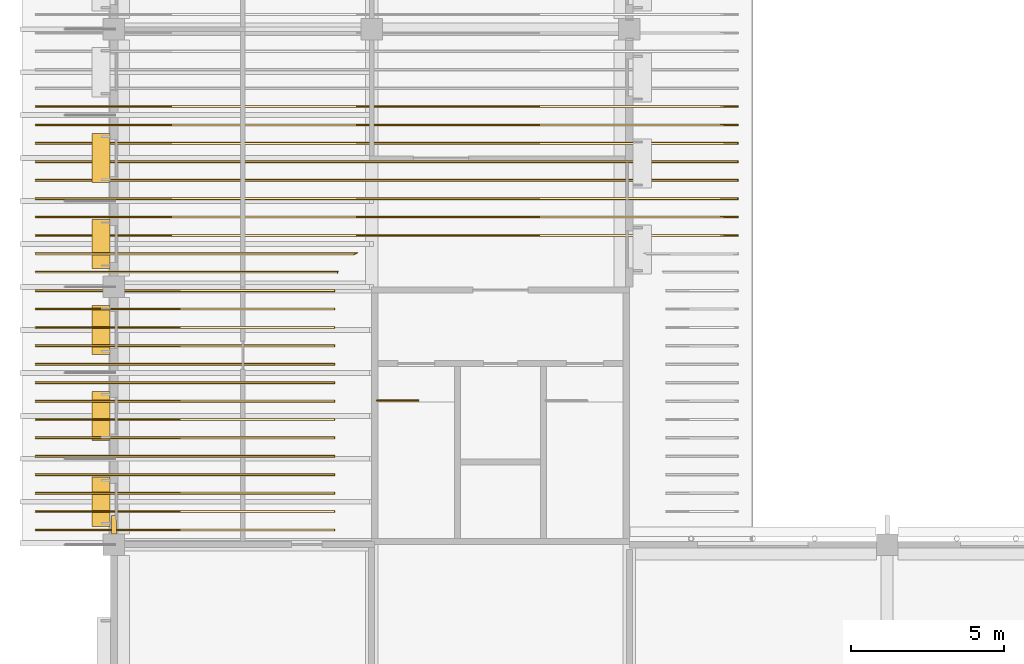
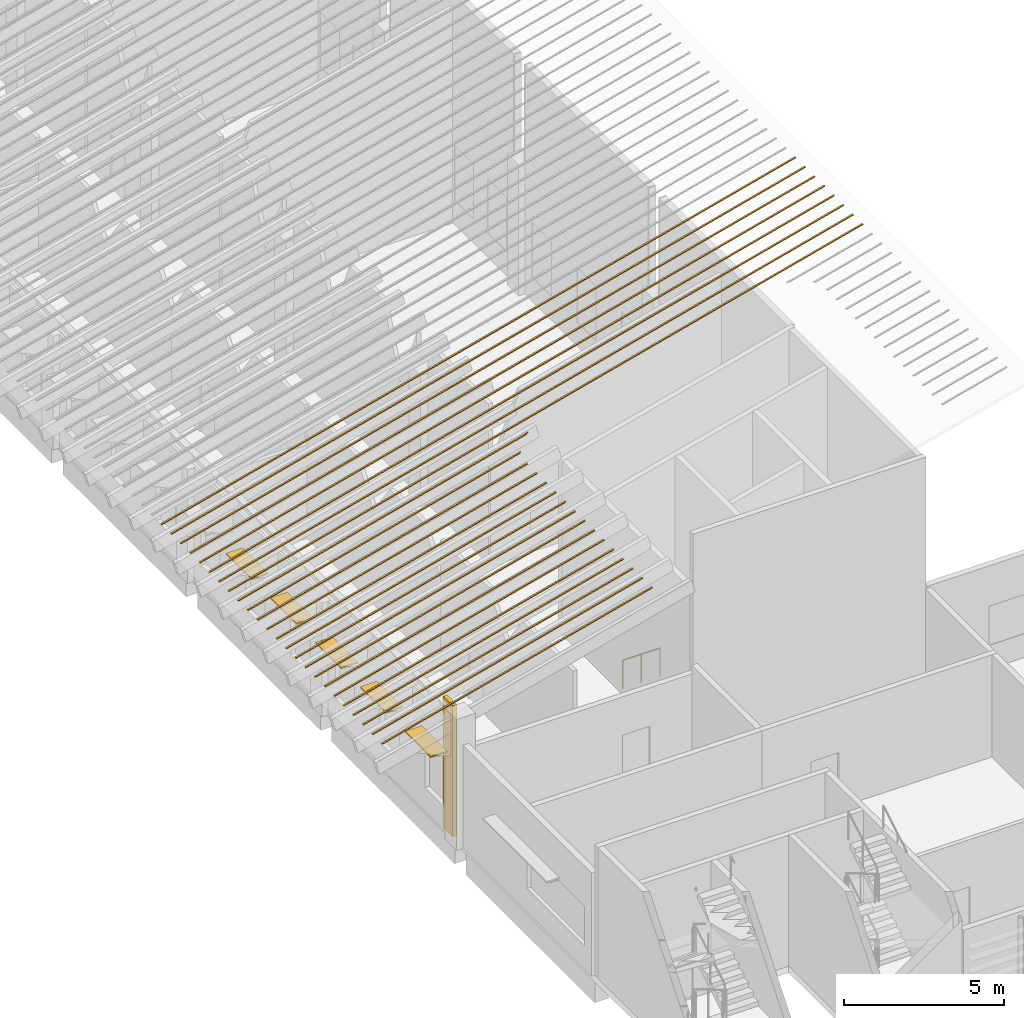
# One storey, part 46 of 82: 24 coverings, 6 shading devices, 1 railing.
"""IFC4 building model written with IfcOpenShell, lengths in metres."""

from ifc_helpers import new_model, si_unit, direction, frame, origin, origin_2d, place, context, subcontext, project, spatial, polyline, rectangle, circle, outline, extrude, material, layer, layer_set, material_profile, profile_set, type_object, element, save


model = new_model("IFC4")

# Units and contexts
model_context = context("Model", 3, precision=1e-05, world=origin(), true_north=direction((0.0, 1.0)))
body_context = subcontext(model_context, "Body", "Model", "MODEL_VIEW")
ifc_project = project(units=[si_unit("LENGTHUNIT", "METRE"), si_unit("AREAUNIT", "SQUARE_METRE"), si_unit("VOLUMEUNIT", "CUBIC_METRE"), si_unit("PLANEANGLEUNIT", "RADIAN"), si_unit("MASSUNIT", "GRAM", prefix="KILO")], contexts=[model_context])

# Site, building, storey
site_placement = place(None, origin())
site = spatial("IfcSite", under=ifc_project, at=site_placement, CompositionType="ELEMENT")
building_placement = place(site_placement, origin())
building = spatial("IfcBuilding", under=site, at=building_placement, Name="Almond Square Museum", CompositionType="ELEMENT")
storey_placement = place(building_placement, frame((0.0, 0.0, 20.0)))
storey = spatial("IfcBuildingStorey", under=building, at=storey_placement, Name="L03", CompositionType="ELEMENT", Elevation=20.0)

# Coverings
ifc_material_1 = material(Name="Zinc standing seam")
ifc_layer = layer(ifc_material_1, 0.0400390625)
ifc_layer_set = layer_set([ifc_layer], Name="Zinc standing seam")
covering_type = type_object("IfcCoveringType", Name="Roof standing seam rib 60 x 40", PredefinedType="CLADDING", material=ifc_layer_set)
covering_1_placement = place(storey_placement, frame((13.199951171875, 17.31005859375, 6.8857421875), z_axis=(-0.253372345004, 0.0, 0.967368830792), x_axis=(-0.967368830792, 0.0, -0.253372345004)))
element("IfcCovering", 1, at=covering_1_placement, inside=storey, type_object=covering_type, Name="Roof standing seam rib", PredefinedType="CLADDING", context=body_context, shape_type="SweptSolid", body=[
    extrude(outline(polyline([(0.0, 0.0), (10.078885828915176, 0.0), (10.078885828915176, 0.06005859375), (0.0, 0.06005859375), (0.0, 0.0)])), origin(), (0.0, 0.0, 1.0), 0.0400390625),
])
covering_2_placement = place(storey_placement, frame((13.199951171875, 17.909912109375, 6.8857421875), z_axis=(-0.253372345004, 0.0, 0.967368830792), x_axis=(-0.967368830792, 0.0, -0.253372345004)))
element("IfcCovering", 2, at=covering_2_placement, inside=storey, type_object=covering_type, Name="Roof standing seam rib", PredefinedType="CLADDING", context=body_context, shape_type="SweptSolid", body=[
    extrude(outline(polyline([(0.0, 0.0), (10.078885828915176, 0.0), (10.078885828915176, 0.059814453125), (0.0, 0.059814453125), (0.0, 0.0)])), origin(), (0.0, 0.0, 1.0), 0.0400390625),
])
for number, where, z_axis, x_axis, name in (
    (3, (13.199951171875, 18.510009765625, 6.8857421875), (-0.253372345004, 0.0, 0.967368830792), (-0.967368830792, 0.0, -0.253372345004), "Roof standing seam rib"),
    (4, (13.199951171875, 19.110107421875, 6.8857421875), (-0.253372345004, 0.0, 0.967368830792), (-0.967368830792, 0.0, -0.253372345004), "Roof standing seam rib"),
    (5, (13.199951171875, 19.7099609375, 6.8857421875), (-0.253372345004, 0.0, 0.967368830792), (-0.967368830792, 0.0, -0.253372345004), "Roof standing seam rib"),
    (6, (13.199951171875, 20.31005859375, 6.8857421875), (-0.253372345004, 0.0, 0.967368830792), (-0.967368830792, 0.0, -0.253372345004), "Roof standing seam rib"),
):
    element("IfcCovering", number, at=place(storey_placement, frame(where, z_axis=z_axis, x_axis=x_axis)), inside=storey, type_object=covering_type, Name=name, PredefinedType="CLADDING", context=body_context, shape_type="SweptSolid", body=[
        extrude(outline(polyline([(0.0, 0.0), (10.078885828915176, 0.0), (10.078885828915176, 0.06005859375), (0.0, 0.06005859375), (0.0, 0.0)])), origin(), (0.0, 0.0, 1.0), 0.0400390625),
    ])
covering_3_placement = place(storey_placement, frame((13.199951171875, 20.909912109375, 6.8857421875), z_axis=(-0.253372345004, 0.0, 0.967368830792), x_axis=(-0.967368830792, 0.0, -0.253372345004)))
element("IfcCovering", 7, at=covering_3_placement, inside=storey, type_object=covering_type, Name="Roof standing seam rib", PredefinedType="CLADDING", context=body_context, shape_type="SweptSolid", body=[
    extrude(outline(polyline([(0.0, 0.0), (10.078885828915176, 0.0), (10.078885828915176, 0.059814453125), (0.0, 0.059814453125), (0.0, 0.0)])), origin(), (0.0, 0.0, 1.0), 0.0400390625),
])
for number, where, z_axis, x_axis, name in (
    (8, (13.199951171875, 21.510009765625, 6.8857421875), (-0.253372345004, 0.0, 0.967368830792), (-0.967368830792, 0.0, -0.253372345004), "Roof standing seam rib"),
    (9, (13.199951171875, 22.110107421875, 6.8857421875), (-0.253372345004, 0.0, 0.967368830792), (-0.967368830792, 0.0, -0.253372345004), "Roof standing seam rib"),
    (10, (13.199951171875, 22.7099609375, 6.8857421875), (-0.253372345004, 0.0, 0.967368830792), (-0.967368830792, 0.0, -0.253372345004), "Roof standing seam rib"),
    (11, (13.199951171875, 23.31005859375, 6.8857421875), (-0.253372345004, 0.0, 0.967368830792), (-0.967368830792, 0.0, -0.253372345004), "Roof standing seam rib"),
):
    element("IfcCovering", number, at=place(storey_placement, frame(where, z_axis=z_axis, x_axis=x_axis)), inside=storey, type_object=covering_type, Name=name, PredefinedType="CLADDING", context=body_context, shape_type="SweptSolid", body=[
        extrude(outline(polyline([(0.0, 0.0), (10.078885828915176, 0.0), (10.078885828915176, 0.06005859375), (0.0, 0.06005859375), (0.0, 0.0)])), origin(), (0.0, 0.0, 1.0), 0.0400390625),
    ])
covering_4_placement = place(storey_placement, frame((13.199951171875, 23.909912109375, 6.8857421875), z_axis=(-0.253372345004, 0.0, 0.967368830792), x_axis=(-0.967368830792, 0.0, -0.253372345004)))
element("IfcCovering", 12, at=covering_4_placement, inside=storey, type_object=covering_type, Name="Roof standing seam rib", PredefinedType="CLADDING", context=body_context, shape_type="SweptSolid", body=[
    extrude(outline(polyline([(0.0, 0.0), (10.078885828915176, 0.0), (10.078885828915176, 0.059814453125), (0.0, 0.059814453125), (0.0, 0.0)])), origin(), (0.0, 0.0, 1.0), 0.0400390625),
])
for number, where, z_axis, x_axis, name in (
    (13, (13.199951171875, 24.510009765625, 6.8857421875), (-0.253372345004, 0.0, 0.967368830792), (-0.967368830792, 0.0, -0.253372345004), "Roof standing seam rib"),
    (14, (13.199951171875, 25.110107421875, 6.8857421875), (-0.253372345004, 0.0, 0.967368830792), (-0.967368830792, 0.0, -0.253372345004), "Roof standing seam rib"),
):
    element("IfcCovering", number, at=place(storey_placement, frame(where, z_axis=z_axis, x_axis=x_axis)), inside=storey, type_object=covering_type, Name=name, PredefinedType="CLADDING", context=body_context, shape_type="SweptSolid", body=[
        extrude(outline(polyline([(0.0, 0.0), (10.078885828915176, 0.0), (10.078885828915176, 0.06005859375), (0.0, 0.06005859375), (0.0, 0.0)])), origin(), (0.0, 0.0, 1.0), 0.0400390625),
    ])
covering_5_placement = place(storey_placement, frame((3.449951171875, 25.64990234375, 4.33203125), z_axis=(-0.253367186903, -0.001308849507, 0.967369296347), x_axis=(0.967370124945, -1.0117e-08, 0.25336740391)))
element("IfcCovering", 15, at=covering_5_placement, inside=storey, type_object=covering_type, Name="Roof standing seam rib", PredefinedType="CLADDING", context=body_context, shape_type="SweptSolid", body=[
    extrude(outline(polyline([(0.0, 0.0), (10.169959351994796, 0.0), (10.198266596531523, 0.060058748364925155), (-6.075898755213395e-10, 0.06005854230717894), (0.0, 0.0)])), origin(), (0.0, 0.0, 1.0), 0.0400390625),
])
covering_6_placement = place(storey_placement, frame((13.944580078125, 26.31005859375, 7.080810546875), z_axis=(-0.253365003616, -0.001865890275, 0.96736895412), x_axis=(-0.967370638086, -1.9274e-08, -0.253365444703)))
element("IfcCovering", 16, at=covering_6_placement, inside=storey, type_object=covering_type, Name="Roof standing seam rib", PredefinedType="CLADDING", context=body_context, shape_type="SweptSolid", body=[
    extrude(outline(polyline([(0.0, 0.0), (10.84864155045546, -8.673617379884035e-19), (10.84864155161303, 0.060058489201515027), (0.128265443964642, 0.06005890492362561), (0.0, 0.0)])), origin(), (0.0, 0.0, 1.0), 0.0400390625),
])
covering_7_placement = place(storey_placement, frame((26.35009765625, 26.909912109375, 10.329833984375), z_axis=(-0.253365136604, 0.0, 0.96737071878), x_axis=(-0.96737071878, 0.0, -0.253365136604)))
element("IfcCovering", 17, at=covering_7_placement, inside=storey, type_object=covering_type, Name="Roof standing seam rib", PredefinedType="CLADDING", context=body_context, shape_type="SweptSolid", body=[
    extrude(outline(polyline([(0.0, 0.0), (23.672565273884217, 0.0), (23.672565273884217, 0.059814453125000014), (0.0, 0.059814453125000014), (0.0, 0.0)])), origin(), (0.0, 0.0, 1.0), 0.0400390625),
])
for number, where, z_axis, x_axis, name in (
    (18, (26.35009765625, 27.510009765625, 10.329833984375), (-0.253365136604, 0.0, 0.96737071878), (-0.96737071878, 0.0, -0.253365136604), "Roof standing seam rib"),
    (19, (26.35009765625, 28.110107421875, 10.329833984375), (-0.253365136604, 0.0, 0.96737071878), (-0.96737071878, 0.0, -0.253365136604), "Roof standing seam rib"),
    (20, (26.35009765625, 28.7099609375, 10.329833984375), (-0.253365136604, 0.0, 0.96737071878), (-0.96737071878, 0.0, -0.253365136604), "Roof standing seam rib"),
    (21, (26.35009765625, 29.31005859375, 10.329833984375), (-0.253365136604, 0.0, 0.96737071878), (-0.96737071878, 0.0, -0.253365136604), "Roof standing seam rib"),
):
    element("IfcCovering", number, at=place(storey_placement, frame(where, z_axis=z_axis, x_axis=x_axis)), inside=storey, type_object=covering_type, Name=name, PredefinedType="CLADDING", context=body_context, shape_type="SweptSolid", body=[
        extrude(outline(polyline([(0.0, 0.0), (23.672565273884217, 0.0), (23.672565273884217, 0.060058593750000014), (0.0, 0.060058593750000014), (0.0, 0.0)])), origin(), (0.0, 0.0, 1.0), 0.0400390625),
    ])
covering_8_placement = place(storey_placement, frame((26.35009765625, 29.909912109375, 10.329833984375), z_axis=(-0.253365136604, 0.0, 0.96737071878), x_axis=(-0.96737071878, 0.0, -0.253365136604)))
element("IfcCovering", 22, at=covering_8_placement, inside=storey, type_object=covering_type, Name="Roof standing seam rib", PredefinedType="CLADDING", context=body_context, shape_type="SweptSolid", body=[
    extrude(outline(polyline([(0.0, 0.0), (23.672565273884217, 0.0), (23.672565273884217, 0.059814453125000014), (0.0, 0.059814453125000014), (0.0, 0.0)])), origin(), (0.0, 0.0, 1.0), 0.0400390625),
])
for number, where, z_axis, x_axis, name in (
    (23, (26.35009765625, 30.510009765625, 10.329833984375), (-0.253365136604, 0.0, 0.96737071878), (-0.96737071878, 0.0, -0.253365136604), "Roof standing seam rib"),
    (24, (26.35009765625, 31.110107421875, 10.329833984375), (-0.253365136604, 0.0, 0.96737071878), (-0.96737071878, 0.0, -0.253365136604), "Roof standing seam rib"),
):
    element("IfcCovering", number, at=place(storey_placement, frame(where, z_axis=z_axis, x_axis=x_axis)), inside=storey, type_object=covering_type, Name=name, PredefinedType="CLADDING", context=body_context, shape_type="SweptSolid", body=[
        extrude(outline(polyline([(0.0, 0.0), (23.672565273884217, 0.0), (23.672565273884217, 0.060058593750000014), (0.0, 0.060058593750000014), (0.0, 0.0)])), origin(), (0.0, 0.0, 1.0), 0.0400390625),
    ])

# Railing
ifc_material_2 = material(Name="Stainless steel and laminated glass", Category="steel")
railing_type = type_object("IfcRailingType", Name="Stair guard 1100 steel and glass", PredefinedType="GUARDRAIL", material=ifc_material_2)
railing_placement = place(storey_placement, frame((14.570068359375, 21.5, 0.0)))
element("IfcRailing", 25, at=railing_placement, inside=storey, type_object=railing_type, Name="L03 ST-21 top well guard 1", PredefinedType="GUARDRAIL", context=body_context, shape_type="SweptSolid", body=[
    extrude(circle(Radius=0.02392578125, at=origin_2d()), frame((0.0, 0.0, 1.076171875), z_axis=(1.0, 0.0, 0.0), x_axis=(0.0, 1.0, 0.0)), (0.0, 0.0, 1.0), 1.349853515625),
    extrude(circle(Radius=0.02099609375, at=origin_2d()), origin(), (0.0, 0.0, 1.0), 1.052001953125),
    extrude(circle(Radius=0.02099609375, at=origin_2d()), frame((0.6748046875, 0.0, 0.0)), (0.0, 0.0, 1.0), 1.052001953125),
    extrude(circle(Radius=0.02099609375, at=origin_2d()), frame((1.349853515625, 0.0, 0.0)), (0.0, 0.0, 1.0), 1.052001953125),
])

# Shading devices
ifc_material_3 = material(Name="Anodised aluminium", Category="aluminium")
ifc_material_profile = material_profile(ifc_material_3, rectangle(XDim=0.60009765625, YDim=0.050048828125, at=origin_2d()))
ifc_profile_set = profile_set([ifc_material_profile], Name="Anodised aluminium")
shading_device_type_1 = type_object("IfcShadingDeviceType", Name="Sun-shade blade 600 x 50", PredefinedType="USERDEFINED", material=ifc_profile_set)
for number, where, z_axis, x_axis, name in (
    (26, (5.576904296875, 25.800048828125, 3.1201171875), (0.0, 1.0, 0.0), (-1.0, 0.0, 0.0), "Sun-shade blade"),
    (27, (5.576904296875, 28.60009765625, 3.1201171875), (0.0, 1.0, 0.0), (-1.0, 0.0, 0.0), "Sun-shade blade"),
):
    element("IfcShadingDevice", number, at=place(storey_placement, frame(where, z_axis=z_axis, x_axis=x_axis)), inside=storey, type_object=shading_device_type_1, Name=name, ObjectType="LOUVRE", PredefinedType="USERDEFINED", context=body_context, shape_type="SweptSolid", body=[
        extrude(rectangle(XDim=0.60009765625, YDim=0.050048828125, at=origin_2d()), origin(), (0.0, 0.0, 1.0), 1.599853515625),
    ])
for number, where, z_axis, x_axis, name in (
    (28, (5.576904296875, 17.39990234375, 3.1201171875), (0.0, 1.0, 0.0), (-1.0, 0.0, 0.0), "Sun-shade blade"),
    (29, (5.576904296875, 20.199951171875, 3.1201171875), (0.0, 1.0, 0.0), (-1.0, 0.0, 0.0), "Sun-shade blade"),
    (30, (5.576904296875, 23.0, 3.1201171875), (0.0, 1.0, 0.0), (-1.0, 0.0, 0.0), "Sun-shade blade"),
):
    element("IfcShadingDevice", number, at=place(storey_placement, frame(where, z_axis=z_axis, x_axis=x_axis)), inside=storey, type_object=shading_device_type_1, Name=name, ObjectType="LOUVRE", PredefinedType="USERDEFINED", context=body_context, shape_type="SweptSolid", body=[
        extrude(rectangle(XDim=0.60009765625, YDim=0.050048828125, at=origin_2d()), origin(), (0.0, 0.0, 1.0), 1.60009765625),
    ])
ifc_material_4 = material(Name="Cedar timber fin", Category="wood")
shading_device_type_2 = type_object("IfcShadingDeviceType", Name="Timber storm fin 150 x 600", PredefinedType="USERDEFINED", material=ifc_material_4)
shading_device_placement = place(storey_placement, frame((6.0, 17.449951171875, 0.0), z_axis=(0.0, 0.0, 1.0), x_axis=(1.0, 0.0, 0.0)))
element("IfcShadingDevice", 31, at=shading_device_placement, inside=storey, type_object=shading_device_type_2, Name="Timber storm fin", ObjectType="FIN", PredefinedType="USERDEFINED", context=body_context, shape_type="SweptSolid", body=[
    extrude(rectangle(XDim=0.14990234375, YDim=0.60009765625, at=origin_2d()), origin(), (0.0, 0.0, 1.0), 5.0),
])

save(model, "model.ifc")
